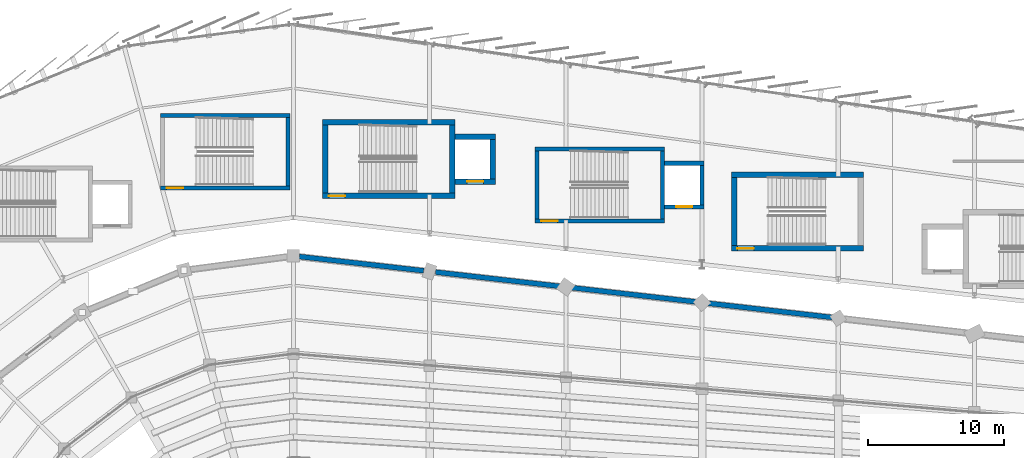
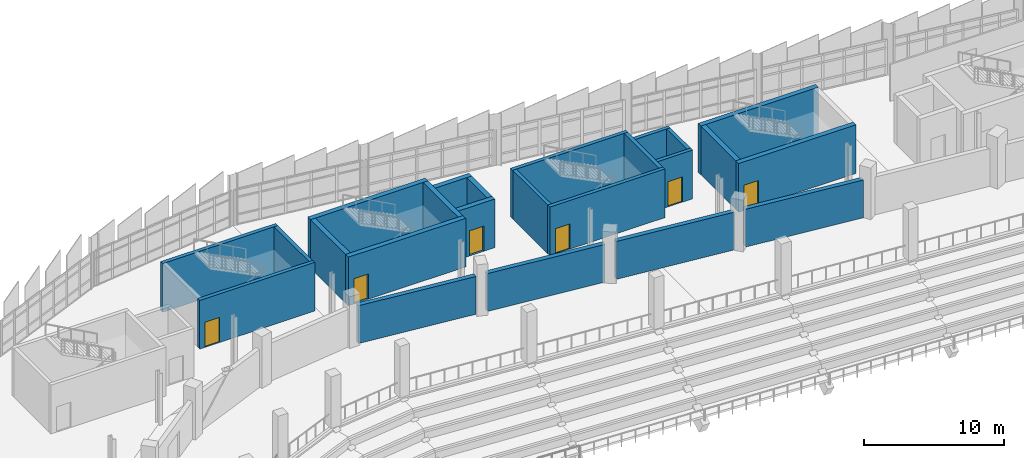
# One storey, part 112 of 134: 24 walls, 6 doors, 6 openings.
"""IFC4 building model written with IfcOpenShell, lengths in metres."""

from ifc_helpers import new_model, si_unit, direction, frame, frame_2d, origin, place, context, subcontext, project, spatial, rectangle, extrude, material, layer, layer_set, type_object, element, fill, save


model = new_model("IFC4")

# Units and contexts
model_context = context("Model", 3, precision=1e-05, world=origin(), true_north=direction((0.0, 1.0)))
body_context = subcontext(model_context, "Body", "Model", "MODEL_VIEW")
ifc_project = project(units=[si_unit("LENGTHUNIT", "METRE"), si_unit("AREAUNIT", "SQUARE_METRE"), si_unit("VOLUMEUNIT", "CUBIC_METRE"), si_unit("PLANEANGLEUNIT", "RADIAN"), si_unit("MASSUNIT", "GRAM", prefix="KILO")], contexts=[model_context])

# Site, building, storey
site_placement = place(None, origin())
site = spatial("IfcSite", under=ifc_project, at=site_placement, CompositionType="ELEMENT")
building_placement = place(site_placement, origin())
building = spatial("IfcBuilding", under=site, at=building_placement, Name="Sohan Crest Arena", CompositionType="ELEMENT")
storey_placement = place(building_placement, frame((0.0, 0.0, 4.5)))
storey = spatial("IfcBuildingStorey", under=building, at=storey_placement, Name="L01", CompositionType="ELEMENT", Elevation=4.5)

# Walls
ifc_material_1 = material(Name="Acoustic insulated bowl drum enclosure wall", Category="masonry")
ifc_layer_1 = layer(ifc_material_1, 0.3701171875, Name="Acoustic insulated bowl drum enclosure wall")
ifc_layer_set_1 = layer_set([ifc_layer_1], Name="Acoustic insulated bowl drum enclosure wall")
wall_type_1 = type_object("IfcWallType", Name="WAL-EW05", PredefinedType="SOLIDWALL", material=ifc_layer_set_1)
for number, where, z_axis, x_axis, name in (
    (1, (137.56298828125, 104.47900390625, 0.0), (0.0, 0.0, 1.0), (-0.993544661122, 0.113441642955, 0.0), "Acoustic bowl drum wall BW-L01-31"),
    (2, (127.56298828125, 105.62109375, 0.0), (0.0, 0.0, 1.0), (-0.993532672656, 0.113546591161, 0.0), "Acoustic bowl drum wall BW-L01-32"),
    (3, (117.56298828125, 106.763916015625, 0.0), (0.0, 0.0, 1.0), (-0.993532672656, 0.113546591161, 0.0), "Acoustic bowl drum wall BW-L01-33"),
    (4, (107.56298828125, 107.906982421875, 0.0), (0.0, 0.0, 1.0), (-0.993532672656, 0.113546591161, 0.0), "Acoustic bowl drum wall BW-L01-34"),
):
    element("IfcWall", number, at=place(storey_placement, frame(where, z_axis=z_axis, x_axis=x_axis)), inside=storey, type_object=wall_type_1, Name=name, PredefinedType="SOLIDWALL", context=body_context, shape_type="SweptSolid", body=[
        extrude(rectangle(XDim=9.185302734375, YDim=0.3701171875, at=frame_2d((4.5927734375, 0.0))), origin(), (0.0, 0.0, 1.0), 3.300048828125),
    ])
ifc_material_2 = material(Name="Concrete C40/50", Category="concrete")
ifc_layer_2 = layer(ifc_material_2, 0.300048828125, Name="Concrete C40/50")
ifc_layer_set_2 = layer_set([ifc_layer_2], Name="Concrete C40/50")
wall_type_2 = type_object("IfcWallType", Name="WAL-SW01", PredefinedType="SHEAR", material=ifc_layer_set_2)
for number, where, z_axis, x_axis, name in (
    (5, (115.89990234375, 111.699951171875, 0.0), (0.0, 0.0, 1.0), (0.0, 1.0, 0.0), "Core shear wall SW-0381"),
    (6, (125.10009765625, 111.699951171875, 0.0), (0.0, 0.0, 1.0), (0.0, 1.0, 0.0), "Core shear wall SW-0382"),
):
    element("IfcWall", number, at=place(storey_placement, frame(where, z_axis=z_axis, x_axis=x_axis)), inside=storey, type_object=wall_type_2, Name=name, PredefinedType="SHEAR", context=body_context, shape_type="SweptSolid", body=[
        extrude(rectangle(XDim=5.0, YDim=0.300048828125, at=frame_2d((2.5, 0.0))), origin(), (0.0, 0.0, 1.0), 4.25),
    ])

# Wall, opening, door
wall_1_placement = place(storey_placement, frame((115.75, 111.550048828125, 0.0), z_axis=(0.0, 0.0, 1.0), x_axis=(1.0, 0.0, 0.0)))
wall_1 = element("IfcWall", 7, at=wall_1_placement, inside=storey, type_object=wall_type_2, Name="Core shear wall SW-0383", PredefinedType="SHEAR", context=body_context, shape_type="SweptSolid", body=[
    extrude(rectangle(XDim=9.5, YDim=0.300048828125, at=frame_2d((4.75, 0.0))), origin(), (0.0, 0.0, 1.0), 4.25),
])
opening_1_placement = place(wall_1_placement, frame((0.449951171875, 0.0, 0.0)))
opening_1 = element("IfcOpeningElement", 8, at=opening_1_placement, cuts=wall_1, Name="Opening SD-0107", PredefinedType="OPENING", context=body_context, shape_type="SweptSolid", body=[
    extrude(rectangle(XDim=1.199951171875, YDim=2.199951171875, at=frame_2d((0.60009765625, 1.10009765625))), frame((0.0, 0.159912109375, 0.0), z_axis=(0.0, -1.0, 0.0), x_axis=(1.0, 0.0, 0.0)), (0.0, 0.0, 1.0), 0.320068359375),
])
ifc_material_3 = material(Name="Fire-rated steel stair and lobby door", Category="steel")
door_type_1 = type_object("IfcDoorType", Name="DR-FD04", OperationType="NOTDEFINED", PredefinedType="DOOR", material=ifc_material_3)
door_1_placement = place(opening_1_placement, frame((1.199951171875, 0.0, 0.0), z_axis=(0.0, 0.0, 1.0), x_axis=(-1.0, 0.0, 0.0)))
door_1 = element("IfcDoor", 9, at=door_1_placement, inside=storey, type_object=door_type_1, Name="Protected stair door SD-0107", OperationType="SINGLE_SWING_LEFT", OverallHeight=2.199951171875, OverallWidth=1.199951171875, PredefinedType="DOOR", context=body_context, shape_type="SweptSolid", body=[
    extrude(rectangle(XDim=1.199951171875, YDim=2.199951171875, at=frame_2d((0.60009765625, 1.10009765625))), frame((0.0, 0.02490234375, 0.0), z_axis=(0.0, -1.0, 0.0), x_axis=(1.0, 0.0, 0.0)), (0.0, 0.0, 1.0), 0.050048828125),
])
fill(opening_1, door_1)

# Walls
wall_2_placement = place(storey_placement, frame((115.75, 116.85009765625, 0.0), z_axis=(0.0, 0.0, 1.0), x_axis=(1.0, 0.0, 0.0)))
element("IfcWall", 10, at=wall_2_placement, inside=storey, type_object=wall_type_2, Name="Core shear wall SW-0384", PredefinedType="SHEAR", context=body_context, shape_type="SweptSolid", body=[
    extrude(rectangle(XDim=9.5, YDim=0.300048828125, at=frame_2d((4.75, 0.0))), origin(), (0.0, 0.0, 1.0), 4.25),
])
wall_3_placement = place(storey_placement, frame((128.0, 112.75, 0.0), z_axis=(0.0, 0.0, 1.0), x_axis=(0.0, 1.0, 0.0)))
element("IfcWall", 11, at=wall_3_placement, inside=storey, type_object=wall_type_2, Name="Core shear wall SW-0385", PredefinedType="SHEAR", context=body_context, shape_type="SweptSolid", body=[
    extrude(rectangle(XDim=2.89990234375, YDim=0.300048828125, at=frame_2d((1.449951171875, 0.0))), origin(), (0.0, 0.0, 1.0), 4.25),
])

# Wall, opening, door
wall_4_placement = place(storey_placement, frame((125.25, 112.60009765625, 0.0), z_axis=(0.0, 0.0, 1.0), x_axis=(1.0, 0.0, 0.0)))
wall_4 = element("IfcWall", 12, at=wall_4_placement, inside=storey, type_object=wall_type_2, Name="Core shear wall SW-0386", PredefinedType="SHEAR", context=body_context, shape_type="SweptSolid", body=[
    extrude(rectangle(XDim=2.89990234375, YDim=0.300048828125, at=frame_2d((1.449951171875, 0.0))), origin(), (0.0, 0.0, 1.0), 4.25),
])
opening_2_placement = place(wall_4_placement, frame((0.85009765625, 0.0, 0.0)))
opening_2 = element("IfcOpeningElement", 13, at=opening_2_placement, cuts=wall_4, Name="Opening LD-LP06-L01", PredefinedType="OPENING", context=body_context, shape_type="SweptSolid", body=[
    extrude(rectangle(XDim=1.199951171875, YDim=2.199951171875, at=frame_2d((0.60009765625, 1.10009765625))), frame((0.0, 0.159912109375, 0.0), z_axis=(0.0, -1.0, 0.0), x_axis=(1.0, 0.0, 0.0)), (0.0, 0.0, 1.0), 0.320068359375),
])
ifc_material_4 = material(Name="Stainless steel passenger lift landing door", Category="steel")
door_type_2 = type_object("IfcDoorType", Name="DR-LD02", OperationType="SLIDING_TO_LEFT", PredefinedType="DOOR", material=ifc_material_4)
door_2_placement = place(opening_2_placement, origin())
door_2 = element("IfcDoor", 14, at=door_2_placement, inside=storey, type_object=door_type_2, Name="Sliding lift landing door LD-LP06-L01", OperationType="SLIDING_TO_LEFT", OverallHeight=2.199951171875, OverallWidth=1.199951171875, PredefinedType="DOOR", context=body_context, shape_type="SweptSolid", body=[
    extrude(rectangle(XDim=1.199951171875, YDim=2.199951171875, at=frame_2d((0.60009765625, 1.10009765625))), frame((0.0, 0.02490234375, 0.0), z_axis=(0.0, -1.0, 0.0), x_axis=(1.0, 0.0, 0.0)), (0.0, 0.0, 1.0), 0.050048828125),
])
fill(opening_2, door_2)

# Walls
wall_5_placement = place(storey_placement, frame((125.25, 115.800048828125, 0.0), z_axis=(0.0, 0.0, 1.0), x_axis=(1.0, 0.0, 0.0)))
element("IfcWall", 15, at=wall_5_placement, inside=storey, type_object=wall_type_2, Name="Core shear wall SW-0387", PredefinedType="SHEAR", context=body_context, shape_type="SweptSolid", body=[
    extrude(rectangle(XDim=2.89990234375, YDim=0.300048828125, at=frame_2d((1.449951171875, 0.0))), origin(), (0.0, 0.0, 1.0), 4.25),
])
wall_6_placement = place(storey_placement, frame((97.60009765625, 114.139892578125, 0.0), z_axis=(0.0, 0.0, 1.0), x_axis=(0.0, 1.0, 0.0)))
element("IfcWall", 16, at=wall_6_placement, inside=storey, type_object=wall_type_2, Name="Core shear wall SW-0766", PredefinedType="SHEAR", context=body_context, shape_type="SweptSolid", body=[
    extrude(rectangle(XDim=5.0, YDim=0.300048828125, at=frame_2d((2.5, 0.0))), origin(), (0.0, 0.0, 1.0), 4.25),
])

# Wall, opening, door
wall_7_placement = place(storey_placement, frame((88.25, 113.989990234375, 0.0), z_axis=(0.0, 0.0, 1.0), x_axis=(1.0, 0.0, 0.0)))
wall_7 = element("IfcWall", 17, at=wall_7_placement, inside=storey, type_object=wall_type_2, Name="Core shear wall SW-0767", PredefinedType="SHEAR", context=body_context, shape_type="SweptSolid", body=[
    extrude(rectangle(XDim=9.5, YDim=0.300048828125, at=frame_2d((4.75, 0.0))), origin(), (0.0, 0.0, 1.0), 4.25),
])
opening_3_placement = place(wall_7_placement, frame((0.449951171875, 0.0, 0.0)))
opening_3 = element("IfcOpeningElement", 18, at=opening_3_placement, cuts=wall_7, Name="Opening SD-0207", PredefinedType="OPENING", context=body_context, shape_type="SweptSolid", body=[
    extrude(rectangle(XDim=1.199951171875, YDim=2.199951171875, at=frame_2d((0.60009765625, 1.10009765625))), frame((0.0, 0.159912109375, 0.0), z_axis=(0.0, -1.0, 0.0), x_axis=(1.0, 0.0, 0.0)), (0.0, 0.0, 1.0), 0.320068359375),
])
door_3_placement = place(opening_3_placement, frame((1.199951171875, 0.0, 0.0), z_axis=(0.0, 0.0, 1.0), x_axis=(-1.0, 0.0, 0.0)))
door_3 = element("IfcDoor", 19, at=door_3_placement, inside=storey, type_object=door_type_1, Name="Protected stair door SD-0207", OperationType="SINGLE_SWING_LEFT", OverallHeight=2.199951171875, OverallWidth=1.199951171875, PredefinedType="DOOR", context=body_context, shape_type="SweptSolid", body=[
    extrude(rectangle(XDim=1.199951171875, YDim=2.199951171875, at=frame_2d((0.60009765625, 1.10009765625))), frame((0.0, 0.02490234375, 0.0), z_axis=(0.0, -1.0, 0.0), x_axis=(1.0, 0.0, 0.0)), (0.0, 0.0, 1.0), 0.050048828125),
])
fill(opening_3, door_3)

# Walls
wall_8_placement = place(storey_placement, frame((88.25, 119.2900390625, 0.0), z_axis=(0.0, 0.0, 1.0), x_axis=(1.0, 0.0, 0.0)))
element("IfcWall", 20, at=wall_8_placement, inside=storey, type_object=wall_type_2, Name="Core shear wall SW-0768", PredefinedType="SHEAR", context=body_context, shape_type="SweptSolid", body=[
    extrude(rectangle(XDim=9.5, YDim=0.300048828125, at=frame_2d((4.75, 0.0))), origin(), (0.0, 0.0, 1.0), 4.25),
])
ifc_layer_3 = layer(ifc_material_2, 0.39990234375, Name="Concrete C40/50")
ifc_layer_set_3 = layer_set([ifc_layer_3], Name="Concrete C40/50")
wall_type_3 = type_object("IfcWallType", Name="WAL-SW03", PredefinedType="SHEAR", material=ifc_layer_set_3)
for number, where, z_axis, x_axis, name in (
    (21, (100.35009765625, 113.60009765625, 0.0), (0.0, 0.0, 1.0), (0.0, 1.0, 0.0), "Core shear wall SW-0296"),
    (22, (109.64990234375, 113.60009765625, 0.0), (0.0, 0.0, 1.0), (0.0, 1.0, 0.0), "Core shear wall SW-0297"),
):
    element("IfcWall", number, at=place(storey_placement, frame(where, z_axis=z_axis, x_axis=x_axis)), inside=storey, type_object=wall_type_3, Name=name, PredefinedType="SHEAR", context=body_context, shape_type="SweptSolid", body=[
        extrude(rectangle(XDim=5.0, YDim=0.39990234375, at=frame_2d((2.5, 0.0))), origin(), (0.0, 0.0, 1.0), 4.25),
    ])

# Wall, opening, door
wall_9_placement = place(storey_placement, frame((100.14990234375, 113.39990234375, 0.0), z_axis=(0.0, 0.0, 1.0), x_axis=(1.0, 0.0, 0.0)))
wall_9 = element("IfcWall", 23, at=wall_9_placement, inside=storey, type_object=wall_type_3, Name="Core shear wall SW-0298", PredefinedType="SHEAR", context=body_context, shape_type="SweptSolid", body=[
    extrude(rectangle(XDim=9.7001953125, YDim=0.39990234375, at=frame_2d((4.85009765625, 0.0))), origin(), (0.0, 0.0, 1.0), 4.25),
])
opening_4_placement = place(wall_9_placement, frame((0.449951171875, 0.0, 0.0)))
opening_4 = element("IfcOpeningElement", 24, at=opening_4_placement, cuts=wall_9, Name="Opening SD-0085", PredefinedType="OPENING", context=body_context, shape_type="SweptSolid", body=[
    extrude(rectangle(XDim=1.199951171875, YDim=2.199951171875, at=frame_2d((0.60009765625, 1.10009765625))), frame((0.0, 0.2099609375, 0.0), z_axis=(0.0, -1.0, 0.0), x_axis=(1.0, 0.0, 0.0)), (0.0, 0.0, 1.0), 0.419921875),
])
door_4_placement = place(opening_4_placement, frame((1.199951171875, 0.0, 0.0), z_axis=(0.0, 0.0, 1.0), x_axis=(-1.0, 0.0, 0.0)))
door_4 = element("IfcDoor", 25, at=door_4_placement, inside=storey, type_object=door_type_1, Name="Protected stair door SD-0085", OperationType="SINGLE_SWING_RIGHT", OverallHeight=2.199951171875, OverallWidth=1.199951171875, PredefinedType="DOOR", context=body_context, shape_type="SweptSolid", body=[
    extrude(rectangle(XDim=1.199951171875, YDim=2.199951171875, at=frame_2d((0.60009765625, 1.10009765625))), frame((0.0, 0.02490234375, 0.0), z_axis=(0.0, -1.0, 0.0), x_axis=(1.0, 0.0, 0.0)), (0.0, 0.0, 1.0), 0.050048828125),
])
fill(opening_4, door_4)

# Walls
wall_10_placement = place(storey_placement, frame((100.14990234375, 118.800048828125, 0.0), z_axis=(0.0, 0.0, 1.0), x_axis=(1.0, 0.0, 0.0)))
element("IfcWall", 26, at=wall_10_placement, inside=storey, type_object=wall_type_3, Name="Core shear wall SW-0299", PredefinedType="SHEAR", context=body_context, shape_type="SweptSolid", body=[
    extrude(rectangle(XDim=9.7001953125, YDim=0.39990234375, at=frame_2d((4.85009765625, 0.0))), origin(), (0.0, 0.0, 1.0), 4.25),
])
wall_11_placement = place(storey_placement, frame((112.64990234375, 114.64990234375, 0.0), z_axis=(0.0, 0.0, 1.0), x_axis=(0.0, 1.0, 0.0)))
element("IfcWall", 27, at=wall_11_placement, inside=storey, type_object=wall_type_3, Name="Core shear wall SW-0300", PredefinedType="SHEAR", context=body_context, shape_type="SweptSolid", body=[
    extrude(rectangle(XDim=2.900146484375, YDim=0.39990234375, at=frame_2d((1.4501953125, 0.0))), origin(), (0.0, 0.0, 1.0), 4.25),
])

# Wall, opening, door
wall_12_placement = place(storey_placement, frame((109.85009765625, 114.449951171875, 0.0), z_axis=(0.0, 0.0, 1.0), x_axis=(1.0, 0.0, 0.0)))
wall_12 = element("IfcWall", 28, at=wall_12_placement, inside=storey, type_object=wall_type_3, Name="Core shear wall SW-0301", PredefinedType="SHEAR", context=body_context, shape_type="SweptSolid", body=[
    extrude(rectangle(XDim=3.0, YDim=0.39990234375, at=frame_2d((1.5, 0.0))), origin(), (0.0, 0.0, 1.0), 4.25),
])
opening_5_placement = place(wall_12_placement, frame((0.89990234375, 0.0, 0.0)))
opening_5 = element("IfcOpeningElement", 29, at=opening_5_placement, cuts=wall_12, Name="Opening LD-LP04-L01", PredefinedType="OPENING", context=body_context, shape_type="SweptSolid", body=[
    extrude(rectangle(XDim=1.199951171875, YDim=2.199951171875, at=frame_2d((0.60009765625, 1.10009765625))), frame((0.0, 0.2099609375, 0.0), z_axis=(0.0, -1.0, 0.0), x_axis=(1.0, 0.0, 0.0)), (0.0, 0.0, 1.0), 0.419921875),
])
door_5_placement = place(opening_5_placement, origin())
door_5 = element("IfcDoor", 30, at=door_5_placement, inside=storey, type_object=door_type_2, Name="Sliding lift landing door LD-LP04-L01", OperationType="SLIDING_TO_LEFT", OverallHeight=2.199951171875, OverallWidth=1.199951171875, PredefinedType="DOOR", context=body_context, shape_type="SweptSolid", body=[
    extrude(rectangle(XDim=1.199951171875, YDim=2.199951171875, at=frame_2d((0.60009765625, 1.10009765625))), frame((0.0, 0.02490234375, 0.0), z_axis=(0.0, -1.0, 0.0), x_axis=(1.0, 0.0, 0.0)), (0.0, 0.0, 1.0), 0.050048828125),
])
fill(opening_5, door_5)

# Walls
wall_13_placement = place(storey_placement, frame((109.85009765625, 117.75, 0.0), z_axis=(0.0, 0.0, 1.0), x_axis=(1.0, 0.0, 0.0)))
element("IfcWall", 31, at=wall_13_placement, inside=storey, type_object=wall_type_3, Name="Core shear wall SW-0302", PredefinedType="SHEAR", context=body_context, shape_type="SweptSolid", body=[
    extrude(rectangle(XDim=3.0, YDim=0.39990234375, at=frame_2d((1.5, 0.0))), origin(), (0.0, 0.0, 1.0), 4.25),
])
wall_14_placement = place(storey_placement, frame((130.35009765625, 109.75, 0.0), z_axis=(0.0, 0.0, 1.0), x_axis=(0.0, 1.0, 0.0)))
element("IfcWall", 32, at=wall_14_placement, inside=storey, type_object=wall_type_3, Name="Core shear wall SW-0813", PredefinedType="SHEAR", context=body_context, shape_type="SweptSolid", body=[
    extrude(rectangle(XDim=5.0, YDim=0.39990234375, at=frame_2d((2.5, 0.0))), origin(), (0.0, 0.0, 1.0), 4.25),
])

# Wall, opening, door
wall_15_placement = place(storey_placement, frame((130.14990234375, 109.550048828125, 0.0), z_axis=(0.0, 0.0, 1.0), x_axis=(1.0, 0.0, 0.0)))
wall_15 = element("IfcWall", 33, at=wall_15_placement, inside=storey, type_object=wall_type_3, Name="Core shear wall SW-0815", PredefinedType="SHEAR", context=body_context, shape_type="SweptSolid", body=[
    extrude(rectangle(XDim=9.7001953125, YDim=0.39990234375, at=frame_2d((4.85009765625, 0.0))), origin(), (0.0, 0.0, 1.0), 4.25),
])
opening_6_placement = place(wall_15_placement, frame((0.449951171875, 0.0, 0.0)))
opening_6 = element("IfcOpeningElement", 34, at=opening_6_placement, cuts=wall_15, Name="Opening SD-0219", PredefinedType="OPENING", context=body_context, shape_type="SweptSolid", body=[
    extrude(rectangle(XDim=1.199951171875, YDim=2.199951171875, at=frame_2d((0.60009765625, 1.10009765625))), frame((0.0, 0.2099609375, 0.0), z_axis=(0.0, -1.0, 0.0), x_axis=(1.0, 0.0, 0.0)), (0.0, 0.0, 1.0), 0.419921875),
])
door_6_placement = place(opening_6_placement, frame((1.199951171875, 0.0, 0.0), z_axis=(0.0, 0.0, 1.0), x_axis=(-1.0, 0.0, 0.0)))
door_6 = element("IfcDoor", 35, at=door_6_placement, inside=storey, type_object=door_type_1, Name="Protected stair door SD-0219", OperationType="SINGLE_SWING_LEFT", OverallHeight=2.199951171875, OverallWidth=1.199951171875, PredefinedType="DOOR", context=body_context, shape_type="SweptSolid", body=[
    extrude(rectangle(XDim=1.199951171875, YDim=2.199951171875, at=frame_2d((0.60009765625, 1.10009765625))), frame((0.0, 0.02490234375, 0.0), z_axis=(0.0, -1.0, 0.0), x_axis=(1.0, 0.0, 0.0)), (0.0, 0.0, 1.0), 0.050048828125),
])
fill(opening_6, door_6)

# Wall
wall_16_placement = place(storey_placement, frame((130.14990234375, 114.949951171875, 0.0), z_axis=(0.0, 0.0, 1.0), x_axis=(1.0, 0.0, 0.0)))
element("IfcWall", 36, at=wall_16_placement, inside=storey, type_object=wall_type_3, Name="Core shear wall SW-0816", PredefinedType="SHEAR", context=body_context, shape_type="SweptSolid", body=[
    extrude(rectangle(XDim=9.7001953125, YDim=0.39990234375, at=frame_2d((4.85009765625, 0.0))), origin(), (0.0, 0.0, 1.0), 4.25),
])

save(model, "model.ifc")
